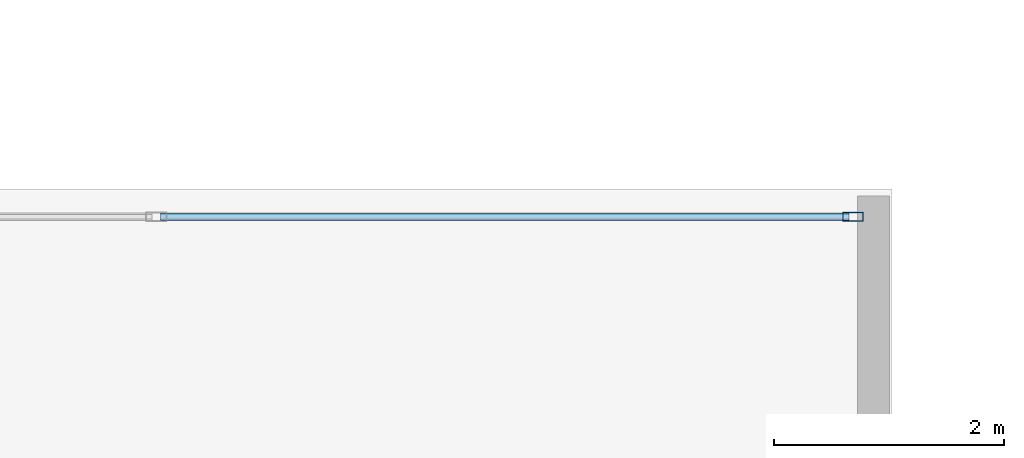
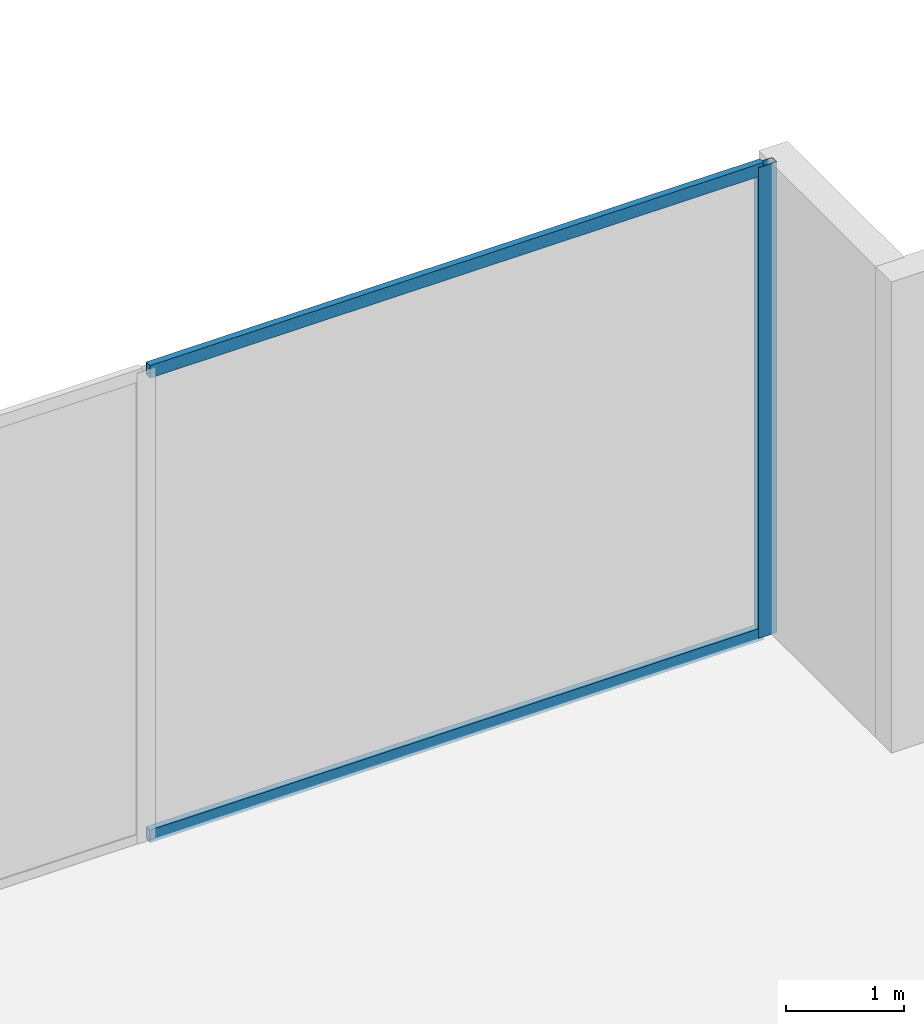
# One storey, part 19 of 37: 3 members, 1 element without a shape of its own.
"""IFC4 building model written with IfcOpenShell, lengths in metres."""

import ifcopenshell
import ifcopenshell.guid

model = None  # the IFC model being written
_history = None  # IfcOwnerHistory: only IFC2X3 demands one
_inside = {}  # id of a spatial element -> (the spatial element, [elements in it])
_under = {}  # id of a project, library or spatial element -> (it, [spatial elements below it])
_declared = {}  # id of a project -> (the project, [libraries it declares])
_typed = {}  # id of a type object -> (the type object, [elements of that type])
_made_of = {}  # id of a material, layer set ... -> (it, [elements and type objects made of it])


def new_model(schema):
    """Start an empty IFC model of exactly this schema.

    Asked for "IFC4X3", IfcOpenShell would pick the latest addendum, in which some entities
    have other attributes; the version numbers below select the first issue.
    IFC2X3 requires an IfcOwnerHistory on every rooted entity: one is made here for all.
    """
    global model, _history
    if schema == "IFC4X3":
        model = ifcopenshell.file(schema_version=(4, 3, 0, 0))
    else:
        model = ifcopenshell.file(schema=schema)
    _inside.clear()
    _under.clear()
    _declared.clear()
    _typed.clear()
    _made_of.clear()
    _history = None
    if model.schema == "IFC2X3":
        org = make("IfcOrganization", Name="unknown")
        user = make(
            "IfcPersonAndOrganization",
            ThePerson=make("IfcPerson", FamilyName="unknown"),
            TheOrganization=org,
        )
        app = make(
            "IfcApplication",
            ApplicationDeveloper=org,
            Version="unknown",
            ApplicationFullName="unknown",
            ApplicationIdentifier="unknown",
        )
        _history = make(
            "IfcOwnerHistory",
            OwningUser=user,
            OwningApplication=app,
            ChangeAction="ADDED",
            CreationDate=0,
        )
    return model


def make(cls, **values):
    """One entity of the class cls with the attributes given. An attribute that is None is left unset."""
    return model.create_entity(
        cls, **{name: value for name, value in values.items() if value is not None}
    )


def rooted(cls, **values):
    """An entity with a GlobalId (a new one), such as an element, a storey or a relation."""
    return make(cls, GlobalId=ifcopenshell.guid.new(), OwnerHistory=_history, **values)


def si_unit(unit_type, name, prefix=None):
    """IfcSIUnit, for example si_unit("LENGTHUNIT", "METRE", prefix="MILLI")."""
    return make("IfcSIUnit", UnitType=unit_type, Prefix=prefix, Name=name)


def assignment(units):
    """IfcUnitAssignment: the units of a project."""
    return None if units is None else make("IfcUnitAssignment", Units=units)


def point(xyz):
    """IfcCartesianPoint."""
    return None if xyz is None else make("IfcCartesianPoint", Coordinates=xyz)


def direction(xyz):
    """IfcDirection."""
    return None if xyz is None else make("IfcDirection", DirectionRatios=xyz)


def frame(location, z_axis=None, x_axis=None):
    """IfcAxis2Placement3D, a coordinate frame: its origin and axes. An axis left out is left unset."""
    return make(
        "IfcAxis2Placement3D",
        Location=point(location),
        Axis=direction(z_axis),
        RefDirection=direction(x_axis),
    )


def frame_2d(location, x_axis=None):
    """IfcAxis2Placement2D, a coordinate frame in the plane: its origin and x axis."""
    return make(
        "IfcAxis2Placement2D", Location=point(location), RefDirection=direction(x_axis)
    )


def origin():
    """The frame at (0, 0, 0) with its axes left unset."""
    return frame((0.0, 0.0, 0.0))


def origin_with_axes():
    """The frame at (0, 0, 0) with the z axis (0, 0, 1) and the x axis (1, 0, 0) written out."""
    return frame((0.0, 0.0, 0.0), z_axis=(0.0, 0.0, 1.0), x_axis=(1.0, 0.0, 0.0))


def origin_2d():
    """The frame at (0, 0) in the plane with its x axis left unset."""
    return frame_2d((0.0, 0.0))


def place(relative_to, where):
    """IfcLocalPlacement: puts the frame where relative to a parent placement (None: the world)."""
    return make(
        "IfcLocalPlacement", PlacementRelTo=relative_to, RelativePlacement=where
    )


def context(
    kind, dimensions, precision=None, world=None, true_north=None, identifier=None
):
    """IfcGeometricRepresentationContext, for example the 3D "Model" context."""
    return make(
        "IfcGeometricRepresentationContext",
        ContextIdentifier=identifier,
        ContextType=kind,
        CoordinateSpaceDimension=dimensions,
        Precision=precision,
        WorldCoordinateSystem=world,
        TrueNorth=true_north,
    )


def subcontext(parent, identifier, kind, view, scale=None):
    """IfcGeometricRepresentationSubContext, for example "Body" below "Model"."""
    return make(
        "IfcGeometricRepresentationSubContext",
        ContextIdentifier=identifier,
        ContextType=kind,
        ParentContext=parent,
        TargetScale=scale,
        TargetView=view,
    )


def project(units=None, contexts=None):
    """IfcProject with its units and contexts."""
    return rooted(
        "IfcProject",
        Name="project",
        RepresentationContexts=contexts,
        UnitsInContext=assignment(units),
    )


def spatial(cls, under=None, at=None, **own):
    """A site, building, storey or space (cls), placed at a placement, below another one or the project."""
    s = rooted(cls, ObjectPlacement=at, **own)
    if under is not None:
        _under.setdefault(under.id(), (under, []))[1].append(s)
    return s


def profile(cls, at=None, kind="AREA", **sizes):
    """A parametric profile (cls). Its sizes go by their IFC names, for example OverallWidth=200.0."""
    return make(cls, ProfileType=kind, Position=at, **sizes)


def hollow_rectangle(**sizes):
    """IfcRectangleHollowProfileDef."""
    return profile("IfcRectangleHollowProfileDef", **sizes)


def extrude(swept, where, along, depth):
    """IfcExtrudedAreaSolid: the profile swept, set in the frame where, extruded along a direction by depth."""
    return make(
        "IfcExtrudedAreaSolid",
        SweptArea=swept,
        Position=where,
        ExtrudedDirection=direction(along),
        Depth=depth,
    )


def shape(context_of_items, identifier, shape_type, items):
    """IfcShapeRepresentation: the items that make up one representation, for example the "Body"."""
    return make(
        "IfcShapeRepresentation",
        ContextOfItems=context_of_items,
        RepresentationIdentifier=identifier,
        RepresentationType=shape_type,
        Items=items,
    )


def source(mapping_origin, context_of_items, identifier, shape_type, items):
    """IfcRepresentationMap: a shape defined once, which mapped items show again and again."""
    return make(
        "IfcRepresentationMap",
        MappingOrigin=mapping_origin,
        MappedRepresentation=shape(context_of_items, identifier, shape_type, items),
    )


def transform(
    local_origin,
    x_axis=None,
    y_axis=None,
    z_axis=None,
    scale=None,
    scale2=None,
    scale3=None,
    uniform=True,
):
    """IfcCartesianTransformationOperator3D, or its non-uniform kind. x_axis, y_axis, z_axis: its Axis1, 2, 3."""
    if uniform:
        return make(
            "IfcCartesianTransformationOperator3D",
            Axis1=direction(x_axis),
            Axis2=direction(y_axis),
            LocalOrigin=point(local_origin),
            Scale=scale,
            Axis3=direction(z_axis),
        )
    return make(
        "IfcCartesianTransformationOperator3DnonUniform",
        Axis1=direction(x_axis),
        Axis2=direction(y_axis),
        LocalOrigin=point(local_origin),
        Scale=scale,
        Axis3=direction(z_axis),
        Scale2=scale2,
        Scale3=scale3,
    )


def mapped(mapping_source, mapping_target):
    """IfcMappedItem: shows the shape of a source again, moved by a transform."""
    return make(
        "IfcMappedItem", MappingSource=mapping_source, MappingTarget=mapping_target
    )


def material(Name=None, Category=None):
    """IfcMaterial."""
    return make("IfcMaterial", Name=Name, Category=Category)


def layer(
    of_material, thickness, ventilated=None, Name=None, Category=None, Priority=None
):
    """IfcMaterialLayer: one layer of a wall or slab, of a material (None: an air gap)."""
    return make(
        "IfcMaterialLayer",
        Material=of_material,
        LayerThickness=thickness,
        IsVentilated=ventilated,
        Name=Name,
        Category=Category,
        Priority=Priority,
    )


def layer_set(layers, Name=None):
    """IfcMaterialLayerSet."""
    return make("IfcMaterialLayerSet", MaterialLayers=layers, LayerSetName=Name)


def material_profile(
    of_material, cross_section, Name=None, Category=None, Priority=None
):
    """IfcMaterialProfile: a cross section and its material."""
    return make(
        "IfcMaterialProfile",
        Name=Name,
        Material=of_material,
        Profile=cross_section,
        Priority=Priority,
        Category=Category,
    )


def profile_set(profiles, Name=None, composite=None):
    """IfcMaterialProfileSet."""
    return make(
        "IfcMaterialProfileSet",
        Name=Name,
        MaterialProfiles=profiles,
        CompositeProfile=composite,
    )


def made_of(thing, what):
    """Note that an element or type object is made of a material, layer set ...; save() writes the relation."""
    if what is not None:
        _made_of.setdefault(what.id(), (what, []))[1].append(thing)
    return thing


def type_object(cls, material=None, **own):
    """A type object (cls), such as IfcWallType, which elements share."""
    return made_of(rooted(cls, **own), material)


def element(
    cls,
    number,
    at=None,
    inside=None,
    cuts=None,
    type_object=None,
    material=None,
    context=None,
    identifier="Body",
    shape_type=None,
    held_by="IfcProductDefinitionShape",
    body=None,
    shapes=None,
    **own,
):
    """One element of the class cls, such as IfcWall. Its Tag is "e" and its number.

    at: its placement. inside: the storey or other place that contains it. cuts: it is an
    opening in that element (IfcRelVoidsElement). A single representation is given by context,
    identifier, shape_type and body (its items); several are given by shapes. held_by: the class
    of the entity that holds the representations. save() writes the other relations.
    """
    e = rooted(cls, Tag="e%d" % number, ObjectPlacement=at, **own)
    if body is not None:
        shapes = [shape(context, identifier, shape_type, body)]
    if shapes is not None:
        e.Representation = make(held_by, Representations=shapes)
    if inside is not None:
        _inside.setdefault(inside.id(), (inside, []))[1].append(e)
    if cuts is not None:
        rooted(
            "IfcRelVoidsElement", RelatingBuildingElement=cuts, RelatedOpeningElement=e
        )
    if type_object is not None:
        _typed.setdefault(type_object.id(), (type_object, []))[1].append(e)
    return made_of(e, material)


def aggregate(whole, parts):
    """IfcRelAggregates: a whole, such as a stair, and the parts it consists of."""
    return rooted("IfcRelAggregates", RelatingObject=whole, RelatedObjects=parts)


def save(model, path):
    """Write the relations noted so far, then the file.

    IfcRelAggregates (storeys below a building ...), IfcRelContainedInSpatialStructure (elements
    in a storey), IfcRelDefinesByType, IfcRelAssociatesMaterial and IfcRelDeclares: one each for
    every whole, place, type object, material and project.
    """
    for whole, parts in _under.values():
        aggregate(whole, parts)
    for where, things in _inside.values():
        rooted(
            "IfcRelContainedInSpatialStructure",
            RelatedElements=things,
            RelatingStructure=where,
        )
    for kind, things in _typed.values():
        rooted("IfcRelDefinesByType", RelatedObjects=things, RelatingType=kind)
    for what, things in _made_of.values():
        rooted("IfcRelAssociatesMaterial", RelatedObjects=things, RelatingMaterial=what)
    for by, libraries in _declared.values():
        rooted("IfcRelDeclares", RelatingContext=by, RelatedDefinitions=libraries)
    model.write(path)


model = new_model("IFC4")

# Units and contexts
model_context = context("Model", 3, precision=1e-05, world=origin(), true_north=direction((0.0, 1.0)))
body_context = subcontext(model_context, "Body", "Model", "MODEL_VIEW")
ifc_project = project(units=[si_unit("LENGTHUNIT", "METRE"), si_unit("AREAUNIT", "SQUARE_METRE"), si_unit("VOLUMEUNIT", "CUBIC_METRE"), si_unit("PLANEANGLEUNIT", "RADIAN"), si_unit("MASSUNIT", "GRAM", prefix="KILO")], contexts=[model_context])

# Site, building, storey
site_placement = place(None, origin())
site = spatial("IfcSite", under=ifc_project, at=site_placement, CompositionType="ELEMENT")
building_placement = place(site_placement, origin())
building = spatial("IfcBuilding", under=site, at=building_placement, Name="Kolvaren Waterfront Exchange", CompositionType="ELEMENT")
storey_placement = place(building_placement, frame((0.0, 0.0, 141.10009765625)))
storey = spatial("IfcBuildingStorey", under=building, at=storey_placement, Name="L36", CompositionType="ELEMENT", Elevation=141.10009765625)

# Curtain wall, members
ifc_material_1 = material(Name="Anodised dark bronze spandrel aluminium", Category="aluminium")
ifc_layer = layer(ifc_material_1, 0.219970703125, Name="Anodised dark bronze spandrel aluminium")
ifc_layer_set = layer_set([ifc_layer], Name="Anodised dark bronze spandrel aluminium")
curtain_wall_type = type_object("IfcCurtainWallType", Name="ARC-CW-SYS6", PredefinedType="USERDEFINED", material=ifc_layer_set)
curtain_wall_placement = place(storey_placement, origin())
curtain_wall = element("IfcCurtainWall", 1, at=curtain_wall_placement, inside=storey, type_object=curtain_wall_type, Name="L36 stick curtain wall CW6 (CW-L36-EN)", ObjectType="STICK CURTAIN WALL", PredefinedType="USERDEFINED")
ifc_material_2 = material(Name="Anodised bronze aluminium 6063-T6", Category="aluminium")
ifc_material_profile_1 = material_profile(ifc_material_2, hollow_rectangle(XDim=0.074951171875, YDim=0.179931640625, WallThickness=0.00439453125, at=origin_2d()), Name="ALU-MUL-180x75x4.5")
ifc_profile_set_1 = profile_set([ifc_material_profile_1], Name="Anodised bronze aluminium 6063-T6")
member_type_1 = type_object("IfcMemberType", Name="ARC-CWM-180", PredefinedType="MULLION", material=ifc_profile_set_1)
shared_shape_1 = source(origin_with_axes(), body_context, "Body", "SweptSolid", [
    extrude(hollow_rectangle(XDim=0.074951171875, YDim=0.179931640625, WallThickness=0.00439453125, at=origin_2d()), origin(), (0.0, 0.0, 1.0), 4.85986328125),
])
member_1_placement = place(storey_placement, frame((54.66259765625, 23.9599609375, 0.0), z_axis=(0.0, 0.0, 1.0), x_axis=(0.0, 1.0, 0.0)))
member_1 = element("IfcMember", 2, at=member_1_placement, type_object=member_type_1, Name="CW6 mullion 5", PredefinedType="MULLION", context=body_context, shape_type="MappedRepresentation", body=[
    mapped(shared_shape_1, transform((0.0, 0.0, 0.0), x_axis=(1.0, 0.0, 0.0), y_axis=(0.0, 1.0, 0.0), z_axis=(0.0, 0.0, 1.0), scale=1.0)),
])
ifc_material_profile_2 = material_profile(ifc_material_2, hollow_rectangle(XDim=0.06494140625, YDim=0.1298828125, WallThickness=0.00390625, at=origin_2d()), Name="ALU-TRN-130x65x4")
ifc_profile_set_2 = profile_set([ifc_material_profile_2], Name="Anodised bronze aluminium 6063-T6")
member_type_2 = type_object("IfcMemberType", Name="ARC-CWT-130", PredefinedType="USERDEFINED", material=ifc_profile_set_2)
shared_shape_2 = source(origin_with_axes(), body_context, "Body", "SweptSolid", [
    extrude(hollow_rectangle(XDim=0.06494140625, YDim=0.1298828125, WallThickness=0.00390625, at=origin_2d()), origin(), (0.0, 0.0, 1.0), 5.989990234375),
])
member_2_placement = place(storey_placement, frame((48.635009765625, 23.9599609375, 0.032470703125), z_axis=(1.0, 0.0, 0.0), x_axis=(0.0, 1.0, 0.0)))
member_2 = element("IfcMember", 3, at=member_2_placement, type_object=member_type_2, Name="CW6 transom 4.1", ObjectType="TRANSOM", PredefinedType="USERDEFINED", context=body_context, shape_type="MappedRepresentation", body=[
    mapped(shared_shape_2, transform((0.0, 0.0, 0.0), x_axis=(1.0, 0.0, 0.0), y_axis=(0.0, 1.0, 0.0), z_axis=(0.0, 0.0, 1.0), scale=1.0)),
])
member_3_placement = place(storey_placement, frame((48.635009765625, 23.9599609375, 4.827392578125), z_axis=(1.0, 0.0, 0.0), x_axis=(0.0, 1.0, 0.0)))
member_3 = element("IfcMember", 4, at=member_3_placement, type_object=member_type_2, Name="CW6 transom 4.2", ObjectType="TRANSOM", PredefinedType="USERDEFINED", context=body_context, shape_type="MappedRepresentation", body=[
    mapped(shared_shape_2, transform((0.0, 0.0, 0.0), x_axis=(1.0, 0.0, 0.0), y_axis=(0.0, 1.0, 0.0), z_axis=(0.0, 0.0, 1.0), scale=1.0)),
])
aggregate(curtain_wall, [member_1, member_2, member_3])

save(model, "model.ifc")
